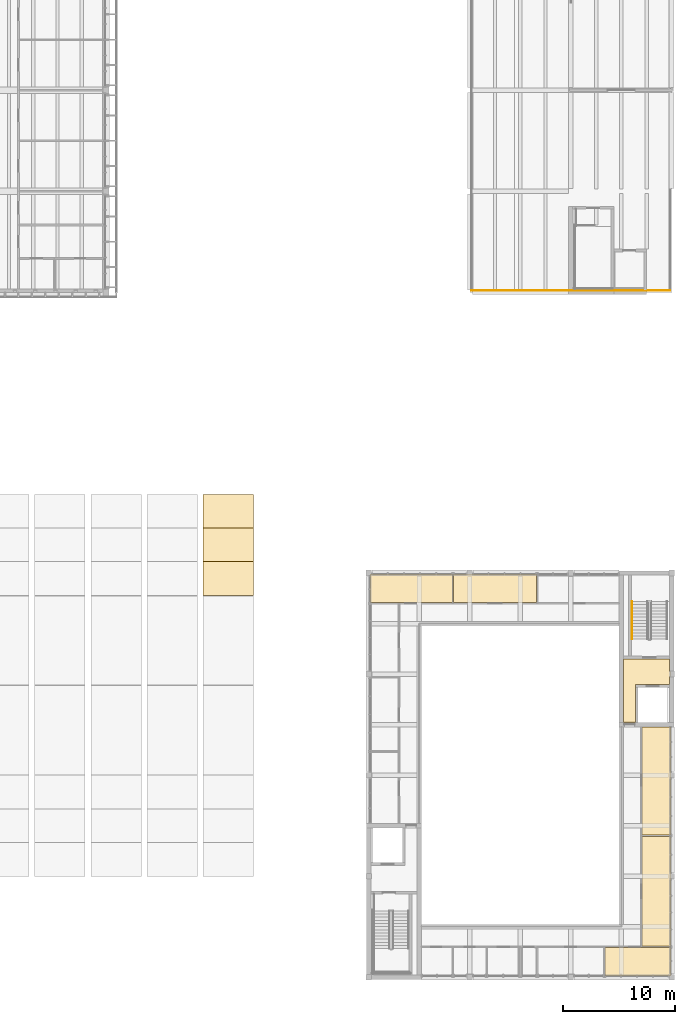
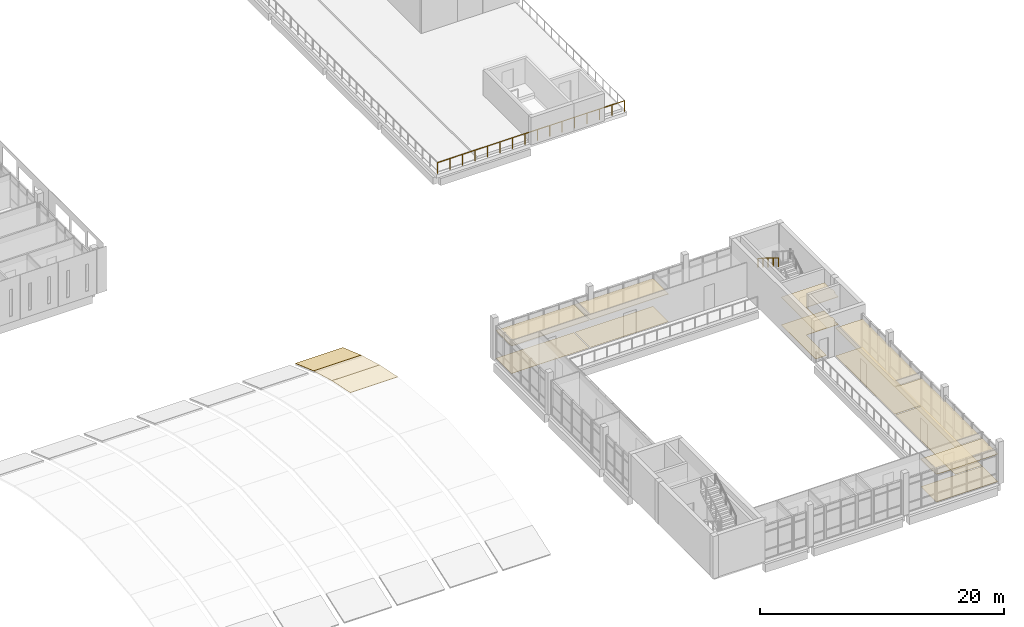
# One storey, part 61 of 74: 15 coverings, 2 railings.
"""IFC4 building model written with IfcOpenShell, lengths in metres."""

import ifcopenshell
import ifcopenshell.guid

model = None  # the IFC model being written
_history = None  # IfcOwnerHistory: only IFC2X3 demands one
_inside = {}  # id of a spatial element -> (the spatial element, [elements in it])
_under = {}  # id of a project, library or spatial element -> (it, [spatial elements below it])
_declared = {}  # id of a project -> (the project, [libraries it declares])
_typed = {}  # id of a type object -> (the type object, [elements of that type])
_made_of = {}  # id of a material, layer set ... -> (it, [elements and type objects made of it])


def new_model(schema):
    """Start an empty IFC model of exactly this schema.

    Asked for "IFC4X3", IfcOpenShell would pick the latest addendum, in which some entities
    have other attributes; the version numbers below select the first issue.
    IFC2X3 requires an IfcOwnerHistory on every rooted entity: one is made here for all.
    """
    global model, _history
    if schema == "IFC4X3":
        model = ifcopenshell.file(schema_version=(4, 3, 0, 0))
    else:
        model = ifcopenshell.file(schema=schema)
    _inside.clear()
    _under.clear()
    _declared.clear()
    _typed.clear()
    _made_of.clear()
    _history = None
    if model.schema == "IFC2X3":
        org = make("IfcOrganization", Name="unknown")
        user = make(
            "IfcPersonAndOrganization",
            ThePerson=make("IfcPerson", FamilyName="unknown"),
            TheOrganization=org,
        )
        app = make(
            "IfcApplication",
            ApplicationDeveloper=org,
            Version="unknown",
            ApplicationFullName="unknown",
            ApplicationIdentifier="unknown",
        )
        _history = make(
            "IfcOwnerHistory",
            OwningUser=user,
            OwningApplication=app,
            ChangeAction="ADDED",
            CreationDate=0,
        )
    return model


def make(cls, **values):
    """One entity of the class cls with the attributes given. An attribute that is None is left unset."""
    return model.create_entity(
        cls, **{name: value for name, value in values.items() if value is not None}
    )


def rooted(cls, **values):
    """An entity with a GlobalId (a new one), such as an element, a storey or a relation."""
    return make(cls, GlobalId=ifcopenshell.guid.new(), OwnerHistory=_history, **values)


def si_unit(unit_type, name, prefix=None):
    """IfcSIUnit, for example si_unit("LENGTHUNIT", "METRE", prefix="MILLI")."""
    return make("IfcSIUnit", UnitType=unit_type, Prefix=prefix, Name=name)


def assignment(units):
    """IfcUnitAssignment: the units of a project."""
    return None if units is None else make("IfcUnitAssignment", Units=units)


def point(xyz):
    """IfcCartesianPoint."""
    return None if xyz is None else make("IfcCartesianPoint", Coordinates=xyz)


def direction(xyz):
    """IfcDirection."""
    return None if xyz is None else make("IfcDirection", DirectionRatios=xyz)


def frame(location, z_axis=None, x_axis=None):
    """IfcAxis2Placement3D, a coordinate frame: its origin and axes. An axis left out is left unset."""
    return make(
        "IfcAxis2Placement3D",
        Location=point(location),
        Axis=direction(z_axis),
        RefDirection=direction(x_axis),
    )


def frame_2d(location, x_axis=None):
    """IfcAxis2Placement2D, a coordinate frame in the plane: its origin and x axis."""
    return make(
        "IfcAxis2Placement2D", Location=point(location), RefDirection=direction(x_axis)
    )


def origin():
    """The frame at (0, 0, 0) with its axes left unset."""
    return frame((0.0, 0.0, 0.0))


def origin_2d():
    """The frame at (0, 0) in the plane with its x axis left unset."""
    return frame_2d((0.0, 0.0))


def place(relative_to, where):
    """IfcLocalPlacement: puts the frame where relative to a parent placement (None: the world)."""
    return make(
        "IfcLocalPlacement", PlacementRelTo=relative_to, RelativePlacement=where
    )


def context(
    kind, dimensions, precision=None, world=None, true_north=None, identifier=None
):
    """IfcGeometricRepresentationContext, for example the 3D "Model" context."""
    return make(
        "IfcGeometricRepresentationContext",
        ContextIdentifier=identifier,
        ContextType=kind,
        CoordinateSpaceDimension=dimensions,
        Precision=precision,
        WorldCoordinateSystem=world,
        TrueNorth=true_north,
    )


def subcontext(parent, identifier, kind, view, scale=None):
    """IfcGeometricRepresentationSubContext, for example "Body" below "Model"."""
    return make(
        "IfcGeometricRepresentationSubContext",
        ContextIdentifier=identifier,
        ContextType=kind,
        ParentContext=parent,
        TargetScale=scale,
        TargetView=view,
    )


def project(units=None, contexts=None):
    """IfcProject with its units and contexts."""
    return rooted(
        "IfcProject",
        Name="project",
        RepresentationContexts=contexts,
        UnitsInContext=assignment(units),
    )


def spatial(cls, under=None, at=None, **own):
    """A site, building, storey or space (cls), placed at a placement, below another one or the project."""
    s = rooted(cls, ObjectPlacement=at, **own)
    if under is not None:
        _under.setdefault(under.id(), (under, []))[1].append(s)
    return s


def polyline(points):
    """IfcPolyline through the points."""
    return make("IfcPolyline", Points=[point(p) for p in points])


def profile(cls, at=None, kind="AREA", **sizes):
    """A parametric profile (cls). Its sizes go by their IFC names, for example OverallWidth=200.0."""
    return make(cls, ProfileType=kind, Position=at, **sizes)


def circle(**sizes):
    """IfcCircleProfileDef."""
    return profile("IfcCircleProfileDef", **sizes)


def outline(outer, holes=None, kind="AREA"):
    """IfcArbitraryClosedProfileDef: a profile drawn as a closed curve; with holes, ...WithVoids."""
    if holes is None:
        return make("IfcArbitraryClosedProfileDef", ProfileType=kind, OuterCurve=outer)
    return make(
        "IfcArbitraryProfileDefWithVoids",
        ProfileType=kind,
        OuterCurve=outer,
        InnerCurves=holes,
    )


def extrude(swept, where, along, depth):
    """IfcExtrudedAreaSolid: the profile swept, set in the frame where, extruded along a direction by depth."""
    return make(
        "IfcExtrudedAreaSolid",
        SweptArea=swept,
        Position=where,
        ExtrudedDirection=direction(along),
        Depth=depth,
    )


def shape(context_of_items, identifier, shape_type, items):
    """IfcShapeRepresentation: the items that make up one representation, for example the "Body"."""
    return make(
        "IfcShapeRepresentation",
        ContextOfItems=context_of_items,
        RepresentationIdentifier=identifier,
        RepresentationType=shape_type,
        Items=items,
    )


def material(Name=None, Category=None):
    """IfcMaterial."""
    return make("IfcMaterial", Name=Name, Category=Category)


def layer(
    of_material, thickness, ventilated=None, Name=None, Category=None, Priority=None
):
    """IfcMaterialLayer: one layer of a wall or slab, of a material (None: an air gap)."""
    return make(
        "IfcMaterialLayer",
        Material=of_material,
        LayerThickness=thickness,
        IsVentilated=ventilated,
        Name=Name,
        Category=Category,
        Priority=Priority,
    )


def layer_set(layers, Name=None):
    """IfcMaterialLayerSet."""
    return make("IfcMaterialLayerSet", MaterialLayers=layers, LayerSetName=Name)


def made_of(thing, what):
    """Note that an element or type object is made of a material, layer set ...; save() writes the relation."""
    if what is not None:
        _made_of.setdefault(what.id(), (what, []))[1].append(thing)
    return thing


def type_object(cls, material=None, **own):
    """A type object (cls), such as IfcWallType, which elements share."""
    return made_of(rooted(cls, **own), material)


def element(
    cls,
    number,
    at=None,
    inside=None,
    cuts=None,
    type_object=None,
    material=None,
    context=None,
    identifier="Body",
    shape_type=None,
    held_by="IfcProductDefinitionShape",
    body=None,
    shapes=None,
    **own,
):
    """One element of the class cls, such as IfcWall. Its Tag is "e" and its number.

    at: its placement. inside: the storey or other place that contains it. cuts: it is an
    opening in that element (IfcRelVoidsElement). A single representation is given by context,
    identifier, shape_type and body (its items); several are given by shapes. held_by: the class
    of the entity that holds the representations. save() writes the other relations.
    """
    e = rooted(cls, Tag="e%d" % number, ObjectPlacement=at, **own)
    if body is not None:
        shapes = [shape(context, identifier, shape_type, body)]
    if shapes is not None:
        e.Representation = make(held_by, Representations=shapes)
    if inside is not None:
        _inside.setdefault(inside.id(), (inside, []))[1].append(e)
    if cuts is not None:
        rooted(
            "IfcRelVoidsElement", RelatingBuildingElement=cuts, RelatedOpeningElement=e
        )
    if type_object is not None:
        _typed.setdefault(type_object.id(), (type_object, []))[1].append(e)
    return made_of(e, material)


def aggregate(whole, parts):
    """IfcRelAggregates: a whole, such as a stair, and the parts it consists of."""
    return rooted("IfcRelAggregates", RelatingObject=whole, RelatedObjects=parts)


def save(model, path):
    """Write the relations noted so far, then the file.

    IfcRelAggregates (storeys below a building ...), IfcRelContainedInSpatialStructure (elements
    in a storey), IfcRelDefinesByType, IfcRelAssociatesMaterial and IfcRelDeclares: one each for
    every whole, place, type object, material and project.
    """
    for whole, parts in _under.values():
        aggregate(whole, parts)
    for where, things in _inside.values():
        rooted(
            "IfcRelContainedInSpatialStructure",
            RelatedElements=things,
            RelatingStructure=where,
        )
    for kind, things in _typed.values():
        rooted("IfcRelDefinesByType", RelatedObjects=things, RelatingType=kind)
    for what, things in _made_of.values():
        rooted("IfcRelAssociatesMaterial", RelatedObjects=things, RelatingMaterial=what)
    for by, libraries in _declared.values():
        rooted("IfcRelDeclares", RelatingContext=by, RelatedDefinitions=libraries)
    model.write(path)


model = new_model("IFC4")

# Units and contexts
model_context = context("Model", 3, precision=1e-05, world=origin(), true_north=direction((0.0, 1.0)))
body_context = subcontext(model_context, "Body", "Model", "MODEL_VIEW")
ifc_project = project(units=[si_unit("LENGTHUNIT", "METRE"), si_unit("AREAUNIT", "SQUARE_METRE"), si_unit("VOLUMEUNIT", "CUBIC_METRE"), si_unit("PLANEANGLEUNIT", "RADIAN"), si_unit("MASSUNIT", "GRAM", prefix="KILO")], contexts=[model_context])

# Site, building, storey
site_placement = place(None, origin())
site = spatial("IfcSite", under=ifc_project, at=site_placement, CompositionType="ELEMENT")
building_placement = place(site_placement, origin())
building = spatial("IfcBuilding", under=site, at=building_placement, Name="Merrow Basin Faculty of Sciences", CompositionType="ELEMENT")
storey_placement = place(building_placement, frame((0.0, 0.0, 13.5)))
storey = spatial("IfcBuildingStorey", under=building, at=storey_placement, Name="L03", CompositionType="ELEMENT", Elevation=13.5)

# Coverings
ifc_material_1 = material(Name="Carpet tile floor")
ifc_layer_1 = layer(ifc_material_1, 0.02001953125)
ifc_layer_set_1 = layer_set([ifc_layer_1], Name="Carpet tile floor")
covering_type_1 = type_object("IfcCoveringType", Name="Carpet tile floor", PredefinedType="FLOORING", material=ifc_layer_set_1)
covering_1_placement = place(storey_placement, origin())
element("IfcCovering", 1, at=covering_1_placement, inside=storey, type_object=covering_type_1, Name="Floor finish L03-A-012", PredefinedType="FLOORING", context=body_context, shape_type="SweptSolid", body=[
    extrude(outline(polyline([(71.889892578125, 0.110107421875), (66.06005859375, 0.110107421875), (66.06005859375, 2.639892578125), (71.889892578125, 2.639892578125), (71.889892578125, 0.110107421875)])), origin(), (0.0, 0.0, 1.0), 0.02001953125),
])
covering_2_placement = place(storey_placement, origin())
element("IfcCovering", 2, at=covering_2_placement, inside=storey, type_object=covering_type_1, Name="Floor finish L03-A-013", PredefinedType="FLOORING", context=body_context, shape_type="SweptSolid", body=[
    extrude(outline(polyline([(71.889892578125, 2.760009765625), (69.360107421875, 2.760009765625), (69.360107421875, 12.5400390625), (71.889892578125, 12.5400390625), (71.889892578125, 2.760009765625)])), origin(), (0.0, 0.0, 1.0), 0.02001953125),
])
covering_3_placement = place(storey_placement, origin())
element("IfcCovering", 3, at=covering_3_placement, inside=storey, type_object=covering_type_1, Name="Floor finish L03-A-014", PredefinedType="FLOORING", context=body_context, shape_type="SweptSolid", body=[
    extrude(outline(polyline([(71.889892578125, 12.659912109375), (69.360107421875, 12.659912109375), (69.360107421875, 22.2900390625), (71.889892578125, 22.2900390625), (71.889892578125, 12.659912109375)])), origin(), (0.0, 0.0, 1.0), 0.02001953125),
])
covering_4_placement = place(storey_placement, origin())
element("IfcCovering", 4, at=covering_4_placement, inside=storey, type_object=covering_type_1, Name="Floor finish L03-A-015", PredefinedType="FLOORING", context=body_context, shape_type="SweptSolid", body=[
    extrude(outline(polyline([(45.110107421875, 35.889892578125), (52.43994140625, 35.889892578125), (52.43994140625, 33.360107421875), (45.110107421875, 33.360107421875), (45.110107421875, 35.889892578125)])), origin(), (0.0, 0.0, 1.0), 0.02001953125),
])
covering_5_placement = place(storey_placement, origin())
element("IfcCovering", 5, at=covering_5_placement, inside=storey, type_object=covering_type_1, Name="Floor finish L03-A-016", PredefinedType="FLOORING", context=body_context, shape_type="SweptSolid", body=[
    extrude(outline(polyline([(59.93994140625, 35.889892578125), (59.93994140625, 33.360107421875), (52.56005859375, 33.360107421875), (52.56005859375, 35.889892578125), (59.93994140625, 35.889892578125)])), origin(), (0.0, 0.0, 1.0), 0.02001953125),
])
ifc_material_2 = material(Name="Polished terrazzo floor")
ifc_layer_2 = layer(ifc_material_2, 0.02001953125)
ifc_layer_set_2 = layer_set([ifc_layer_2], Name="Polished terrazzo floor")
covering_type_2 = type_object("IfcCoveringType", Name="Polished terrazzo floor", PredefinedType="FLOORING", material=ifc_layer_set_2)
covering_6_placement = place(storey_placement, origin())
element("IfcCovering", 6, at=covering_6_placement, inside=storey, type_object=covering_type_2, Name="Floor finish L03-A-006", PredefinedType="FLOORING", context=body_context, shape_type="SweptSolid", body=[
    extrude(outline(polyline([(71.889892578125, 26.760009765625), (71.7900390625, 26.760009765625), (71.7900390625, 26.06005859375), (68.739990234375, 26.06005859375), (68.739990234375, 22.7099609375), (67.7099609375, 22.7099609375), (67.7099609375, 28.340087890625), (71.7900390625, 28.340087890625), (71.7900390625, 27.239990234375), (71.889892578125, 27.239990234375), (71.889892578125, 26.760009765625)])), origin(), (0.0, 0.0, 1.0), 0.02001953125),
])

# Railing
ifc_material_3 = material(Name="Stainless steel balustrade", Category="steel")
railing_type_1 = type_object("IfcRailingType", Name="Roof terrace guard 1100", PredefinedType="GUARDRAIL", material=ifc_material_3)
railing_1_placement = place(storey_placement, frame((71.85009765625, 61.14990234375, 0.0)))
element("IfcRailing", 7, at=railing_1_placement, inside=storey, type_object=railing_type_1, Name="Roof terrace guard", PredefinedType="GUARDRAIL", context=body_context, shape_type="SweptSolid", body=[
    extrude(circle(Radius=0.02392578125, at=origin_2d()), frame((0.0, 0.0, 1.076171875), z_axis=(-1.0, 0.0, 0.0), x_axis=(0.0, -1.0, 0.0)), (0.0, 0.0, 1.0), 17.7001953125),
    extrude(circle(Radius=0.02099609375, at=origin_2d()), origin(), (0.0, 0.0, 1.0), 1.052001953125),
    extrude(circle(Radius=0.02099609375, at=origin_2d()), frame((-1.179931640625, 0.0, 0.0)), (0.0, 0.0, 1.0), 1.052001953125),
    extrude(circle(Radius=0.02099609375, at=origin_2d()), frame((-2.360107421875, 0.0, 0.0)), (0.0, 0.0, 1.0), 1.052001953125),
    extrude(circle(Radius=0.02099609375, at=origin_2d()), frame((-3.5400390625, 0.0, 0.0)), (0.0, 0.0, 1.0), 1.052001953125),
    extrude(circle(Radius=0.02099609375, at=origin_2d()), frame((-4.719970703125, 0.0, 0.0)), (0.0, 0.0, 1.0), 1.052001953125),
    extrude(circle(Radius=0.02099609375, at=origin_2d()), frame((-5.900146484375, 0.0, 0.0)), (0.0, 0.0, 1.0), 1.052001953125),
    extrude(circle(Radius=0.02099609375, at=origin_2d()), frame((-7.080078125, 0.0, 0.0)), (0.0, 0.0, 1.0), 1.052001953125),
    extrude(circle(Radius=0.02099609375, at=origin_2d()), frame((-8.260009765625, 0.0, 0.0)), (0.0, 0.0, 1.0), 1.052001953125),
    extrude(circle(Radius=0.02099609375, at=origin_2d()), frame((-9.440185546875, 0.0, 0.0)), (0.0, 0.0, 1.0), 1.052001953125),
    extrude(circle(Radius=0.02099609375, at=origin_2d()), frame((-10.6201171875, 0.0, 0.0)), (0.0, 0.0, 1.0), 1.052001953125),
    extrude(circle(Radius=0.02099609375, at=origin_2d()), frame((-11.800048828125, 0.0, 0.0)), (0.0, 0.0, 1.0), 1.052001953125),
    extrude(circle(Radius=0.02099609375, at=origin_2d()), frame((-12.980224609375, 0.0, 0.0)), (0.0, 0.0, 1.0), 1.052001953125),
    extrude(circle(Radius=0.02099609375, at=origin_2d()), frame((-14.16015625, 0.0, 0.0)), (0.0, 0.0, 1.0), 1.052001953125),
    extrude(circle(Radius=0.02099609375, at=origin_2d()), frame((-15.340087890625, 0.0, 0.0)), (0.0, 0.0, 1.0), 1.052001953125),
    extrude(circle(Radius=0.02099609375, at=origin_2d()), frame((-16.520263671875, 0.0, 0.0)), (0.0, 0.0, 1.0), 1.052001953125),
    extrude(circle(Radius=0.02099609375, at=origin_2d()), frame((-17.7001953125, 0.0, 0.0)), (0.0, 0.0, 1.0), 1.052001953125),
])

# Coverings
ifc_material_4 = material(Name="Bituminous roofing membrane")
ifc_layer_3 = layer(ifc_material_4, 0.030029296875)
ifc_layer_set_3 = layer_set([ifc_layer_3], Name="Shell waterproofing 30")
covering_type_3 = type_object("IfcCoveringType", Name="Shell waterproofing 30", PredefinedType="ROOFING", material=ifc_layer_set_3)
covering_7_placement = place(storey_placement, frame((30.25, 34.006103515625, 2.930908203125), z_axis=(0.0, 0.204870252821, 0.978789139452), x_axis=(1.0, 0.0, 0.0)))
element("IfcCovering", 8, at=covering_7_placement, inside=storey, type_object=covering_type_3, Name="Shell waterproofing", PredefinedType="ROOFING", context=body_context, shape_type="SweptSolid", body=[
    extrude(outline(polyline([(0.0, 0.0), (4.5, 0.0), (4.5, 3.065011532187741), (0.0, 3.065011532187741), (0.0, 0.0)])), origin(), (0.0, 0.0, -1.0), 0.030029296875),
])
covering_8_placement = place(storey_placement, frame((30.25, 37.008056640625, 2.302001953125), z_axis=(0.0, 0.269365379975, 0.963038053283), x_axis=(1.0, 0.0, 0.0)))
element("IfcCovering", 9, at=covering_8_placement, inside=storey, type_object=covering_type_3, Name="Shell waterproofing", PredefinedType="ROOFING", context=body_context, shape_type="SweptSolid", body=[
    extrude(outline(polyline([(0.0, 0.0), (4.5, 0.0), (4.5, 3.115141701590427), (0.0, 3.115141701590427), (0.0, 0.0)])), origin(), (0.0, 0.0, -1.0), 0.030029296875),
])
covering_9_placement = place(storey_placement, frame((30.25, 40.010009765625, 1.4619140625), z_axis=(0.0, 0.334256016582, 0.942482315685), x_axis=(1.0, 0.0, 0.0)))
element("IfcCovering", 10, at=covering_9_placement, inside=storey, type_object=covering_type_3, Name="Shell waterproofing", PredefinedType="ROOFING", context=body_context, shape_type="SweptSolid", body=[
    extrude(outline(polyline([(0.0, 0.0), (4.5, 0.0), (4.5, 3.183083597509805), (0.0, 3.183083597509805), (0.0, 0.0)])), origin(), (0.0, 0.0, -1.0), 0.030029296875),
])

# Railing
ifc_material_5 = material(Name="Steel ASTM A36", Category="steel")
railing_type_2 = type_object("IfcRailingType", Name="Steel handrail 900", PredefinedType="HANDRAIL", material=ifc_material_5)
railing_2_placement = place(storey_placement, frame((68.449951171875, 33.4599609375, 2.423095703125)))
element("IfcRailing", 11, at=railing_2_placement, inside=storey, type_object=railing_type_2, Name="L03 ST-V3-E stair handrail 2", PredefinedType="HANDRAIL", context=body_context, shape_type="SweptSolid", body=[
    extrude(circle(Radius=0.02392578125, at=origin_2d()), frame((0.0, 0.0, 0.8759765625), z_axis=(0.0, -0.850606129759, 0.525803396734), x_axis=(1.0, 0.0, 0.0)), (0.0, 0.0, 1.0), 3.949951171875),
    extrude(circle(Radius=0.02099609375, at=origin_2d()), origin(), (0.0, 0.0, 1.0), 0.851806640625),
    extrude(circle(Radius=0.02099609375, at=origin_2d()), frame((0.0, -0.83984375, 0.519287109375)), (0.0, 0.0, 1.0), 0.851806640625),
    extrude(circle(Radius=0.02099609375, at=origin_2d()), frame((0.0, -1.679931640625, 1.03857421875)), (0.0, 0.0, 1.0), 0.851806640625),
    extrude(circle(Radius=0.02099609375, at=origin_2d()), frame((0.0, -2.52001953125, 1.5576171875)), (0.0, 0.0, 1.0), 0.851806640625),
    extrude(circle(Radius=0.02099609375, at=origin_2d()), frame((0.0, -3.35986328125, 2.076904296875)), (0.0, 0.0, 1.0), 0.851806640625),
])

# Coverings
ifc_material_6 = material(Name="Mineral fibre ceiling tile")
ifc_layer_4 = layer(ifc_material_6, 0.050048828125)
ifc_layer_set_4 = layer_set([ifc_layer_4], Name="Suspended acoustic ceiling tile")
covering_type_4 = type_object("IfcCoveringType", Name="Suspended acoustic ceiling tile", PredefinedType="CEILING", material=ifc_layer_set_4)
covering_10_placement = place(storey_placement, frame((0.0, 0.0, 2.75)))
element("IfcCovering", 12, at=covering_10_placement, inside=storey, type_object=covering_type_4, Name="Ceiling L03-A-006", PredefinedType="CEILING", context=body_context, shape_type="SweptSolid", body=[
    extrude(outline(polyline([(71.89990234375, 26.75), (71.800048828125, 26.75), (71.800048828125, 26.050048828125), (68.75, 26.050048828125), (68.75, 22.699951171875), (67.699951171875, 22.699951171875), (67.699951171875, 28.35009765625), (71.800048828125, 28.35009765625), (71.800048828125, 27.25), (71.89990234375, 27.25), (71.89990234375, 26.75)])), origin(), (0.0, 0.0, 1.0), 0.050048828125),
])
covering_11_placement = place(storey_placement, frame((0.0, 0.0, 2.75)))
element("IfcCovering", 13, at=covering_11_placement, inside=storey, type_object=covering_type_4, Name="Ceiling L03-A-012", PredefinedType="CEILING", context=body_context, shape_type="SweptSolid", body=[
    extrude(outline(polyline([(71.89990234375, 0.10009765625), (66.050048828125, 0.10009765625), (66.050048828125, 2.64990234375), (71.89990234375, 2.64990234375), (71.89990234375, 0.10009765625)])), origin(), (0.0, 0.0, 1.0), 0.050048828125),
])
covering_12_placement = place(storey_placement, frame((0.0, 0.0, 2.75)))
element("IfcCovering", 14, at=covering_12_placement, inside=storey, type_object=covering_type_4, Name="Ceiling L03-A-013", PredefinedType="CEILING", context=body_context, shape_type="SweptSolid", body=[
    extrude(outline(polyline([(71.89990234375, 2.75), (69.35009765625, 2.75), (69.35009765625, 12.550048828125), (71.89990234375, 12.550048828125), (71.89990234375, 2.75)])), origin(), (0.0, 0.0, 1.0), 0.050048828125),
])
covering_13_placement = place(storey_placement, frame((0.0, 0.0, 2.75)))
element("IfcCovering", 15, at=covering_13_placement, inside=storey, type_object=covering_type_4, Name="Ceiling L03-A-014", PredefinedType="CEILING", context=body_context, shape_type="SweptSolid", body=[
    extrude(outline(polyline([(71.89990234375, 12.64990234375), (69.35009765625, 12.64990234375), (69.35009765625, 22.300048828125), (71.89990234375, 22.300048828125), (71.89990234375, 12.64990234375)])), origin(), (0.0, 0.0, 1.0), 0.050048828125),
])
covering_14_placement = place(storey_placement, frame((0.0, 0.0, 2.75)))
element("IfcCovering", 16, at=covering_14_placement, inside=storey, type_object=covering_type_4, Name="Ceiling L03-A-015", PredefinedType="CEILING", context=body_context, shape_type="SweptSolid", body=[
    extrude(outline(polyline([(45.10009765625, 35.89990234375), (52.449951171875, 35.89990234375), (52.449951171875, 33.35009765625), (45.10009765625, 33.35009765625), (45.10009765625, 35.89990234375)])), origin(), (0.0, 0.0, 1.0), 0.050048828125),
])
covering_15_placement = place(storey_placement, frame((0.0, 0.0, 2.75)))
element("IfcCovering", 17, at=covering_15_placement, inside=storey, type_object=covering_type_4, Name="Ceiling L03-A-016", PredefinedType="CEILING", context=body_context, shape_type="SweptSolid", body=[
    extrude(outline(polyline([(59.949951171875, 35.89990234375), (59.949951171875, 33.35009765625), (52.550048828125, 33.35009765625), (52.550048828125, 35.89990234375), (59.949951171875, 35.89990234375)])), origin(), (0.0, 0.0, 1.0), 0.050048828125),
])

save(model, "model.ifc")
